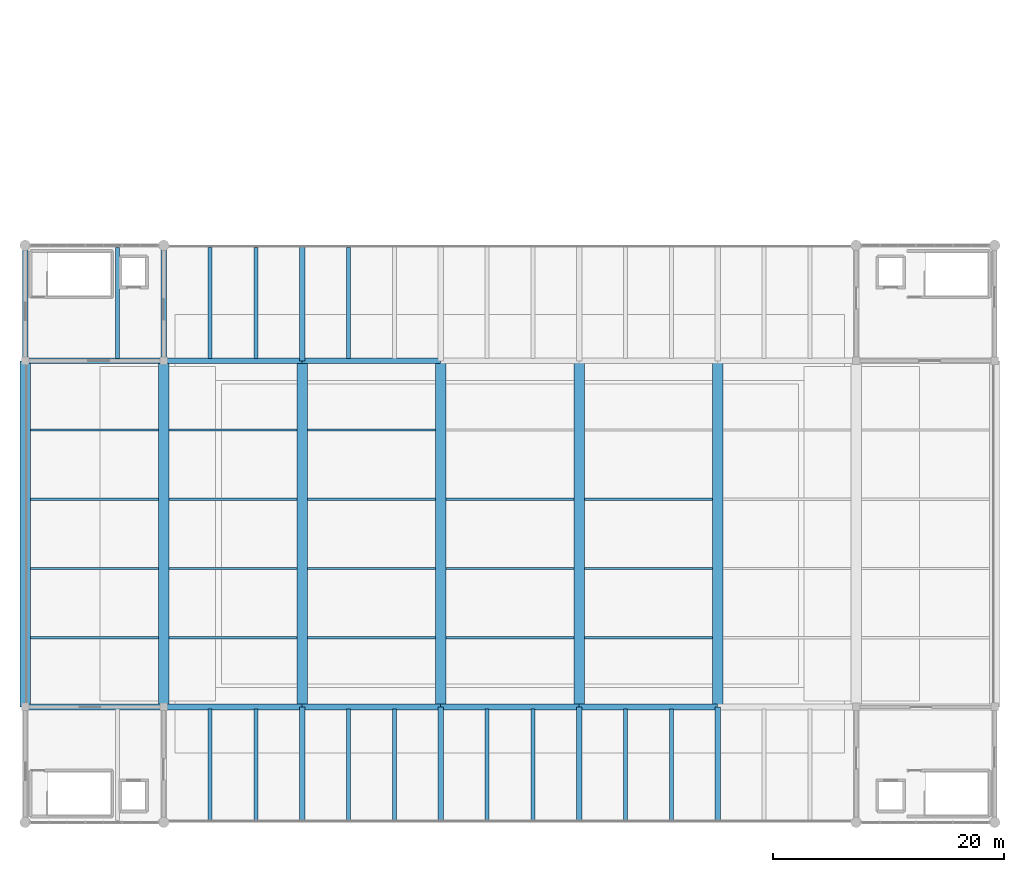
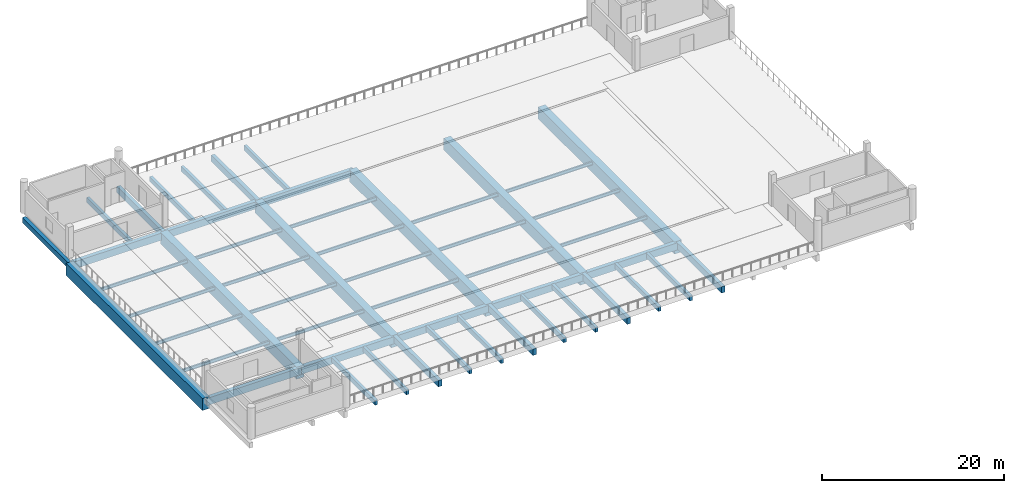
# One storey, part 7 of 111: 51 beams.
"""IFC4 building model written with IfcOpenShell, lengths in metres."""

from ifc_helpers import new_model, si_unit, direction, frame, origin, origin_2d, place, context, subcontext, project, spatial, rectangle, i_section, extrude, material, material_profile, profile_set, type_object, element, save


model = new_model("IFC4")

# Units and contexts
model_context = context("Model", 3, precision=1e-05, world=origin(), true_north=direction((0.0, 1.0)))
body_context = subcontext(model_context, "Body", "Model", "MODEL_VIEW")
ifc_project = project(units=[si_unit("LENGTHUNIT", "METRE"), si_unit("AREAUNIT", "SQUARE_METRE"), si_unit("VOLUMEUNIT", "CUBIC_METRE"), si_unit("PLANEANGLEUNIT", "RADIAN"), si_unit("MASSUNIT", "GRAM", prefix="KILO")], contexts=[model_context])

# Site, building, storey
site_placement = place(None, origin())
site = spatial("IfcSite", under=ifc_project, at=site_placement, CompositionType="ELEMENT")
building_placement = place(site_placement, origin())
building = spatial("IfcBuilding", under=site, at=building_placement, Name="Mersad Railyard Sports Hall", CompositionType="ELEMENT")
storey_placement = place(building_placement, frame((0.0, 0.0, 9.0)))
storey = spatial("IfcBuildingStorey", under=building, at=storey_placement, Name="L02", CompositionType="ELEMENT", Elevation=9.0)

# Beams
ifc_material_1 = material(Name="Concrete C40/50", Category="concrete")
ifc_material_profile_1 = material_profile(ifc_material_1, rectangle(XDim=0.449951171875, YDim=0.85009765625, at=origin_2d()), Name="RC 450x850")
ifc_profile_set_1 = profile_set([ifc_material_profile_1], Name="Concrete C40/50")
beam_type_1 = type_object("IfcBeamType", Name="STR-BM-B02", PredefinedType="BEAM", material=ifc_profile_set_1)
for number, where, z_axis, x_axis, name in (
    (1, (31.0, 3.5, -1.175048828125), (0.0, 1.0, 0.0), (-1.0, 0.0, 0.0), "Beam B02-0433"),
    (2, (43.0, 3.5, -1.175048828125), (0.0, 1.0, 0.0), (-1.0, 0.0, 0.0), "Beam B02-0434"),
    (3, (55.0, 3.5, -1.175048828125), (0.0, 1.0, 0.0), (-1.0, 0.0, 0.0), "Beam B02-0435"),
    (4, (67.0, 3.5, -1.175048828125), (0.0, 1.0, 0.0), (-1.0, 0.0, 0.0), "Beam B02-0436"),
    (5, (19.0, 43.5, -1.175048828125), (0.0, 1.0, 0.0), (-1.0, 0.0, 0.0), "Beam B02-0447"),
    (6, (31.0, 43.5, -1.175048828125), (0.0, 1.0, 0.0), (-1.0, 0.0, 0.0), "Beam B02-0448"),
):
    element("IfcBeam", number, at=place(storey_placement, frame(where, z_axis=z_axis, x_axis=x_axis)), inside=storey, type_object=beam_type_1, Name=name, PredefinedType="BEAM", context=body_context, shape_type="SweptSolid", body=[
        extrude(rectangle(XDim=0.449951171875, YDim=0.85009765625, at=origin_2d()), origin(), (0.0, 0.0, 1.0), 10.0),
    ])
ifc_material_2 = material(Name="Concrete C50/60", Category="concrete")
ifc_material_profile_2 = material_profile(ifc_material_2, rectangle(XDim=0.5, YDim=0.949951171875, at=origin_2d()), Name="RC 500x950")
ifc_profile_set_2 = profile_set([ifc_material_profile_2], Name="Concrete C50/60")
beam_type_2 = type_object("IfcBeamType", Name="STR-BM-B03", PredefinedType="BEAM", material=ifc_profile_set_2)
for number, where, z_axis, x_axis, name in (
    (7, (7.0, 13.5, -1.22509765625), (1.0, 0.0, 0.0), (0.0, 1.0, 0.0), "Beam B03-0424"),
    (8, (19.0, 13.5, -1.22509765625), (1.0, 0.0, 0.0), (0.0, 1.0, 0.0), "Beam B03-0425"),
    (9, (31.0, 13.5, -1.22509765625), (1.0, 0.0, 0.0), (0.0, 1.0, 0.0), "Beam B03-0426"),
    (10, (43.0, 13.5, -1.22509765625), (1.0, 0.0, 0.0), (0.0, 1.0, 0.0), "Beam B03-0427"),
    (11, (55.0, 13.5, -1.22509765625), (1.0, 0.0, 0.0), (0.0, 1.0, 0.0), "Beam B03-0428"),
    (12, (7.0, 43.5, -1.22509765625), (1.0, 0.0, 0.0), (0.0, 1.0, 0.0), "Beam B03-0439"),
    (13, (19.0, 43.5, -1.22509765625), (1.0, 0.0, 0.0), (0.0, 1.0, 0.0), "Beam B03-0440"),
    (14, (31.0, 43.5, -1.22509765625), (1.0, 0.0, 0.0), (0.0, 1.0, 0.0), "Beam B03-0441"),
):
    element("IfcBeam", number, at=place(storey_placement, frame(where, z_axis=z_axis, x_axis=x_axis)), inside=storey, type_object=beam_type_2, Name=name, PredefinedType="BEAM", context=body_context, shape_type="SweptSolid", body=[
        extrude(rectangle(XDim=0.5, YDim=0.949951171875, at=origin_2d()), origin(), (0.0, 0.0, 1.0), 12.0),
    ])
ifc_material_profile_3 = material_profile(ifc_material_1, rectangle(XDim=0.35009765625, YDim=0.64990234375, at=origin_2d()), Name="RC 350x650")
ifc_profile_set_3 = profile_set([ifc_material_profile_3], Name="Concrete C40/50")
beam_type_3 = type_object("IfcBeamType", Name="STR-BM-J01", PredefinedType="JOIST", material=ifc_profile_set_3)
for number, where, z_axis, x_axis, name in (
    (15, (23.0, 3.679931640625, -1.074951171875), (0.0, 1.0, 0.0), (-1.0, 0.0, 0.0), "Beam J01-0455"),
    (16, (27.0, 3.679931640625, -1.074951171875), (0.0, 1.0, 0.0), (-1.0, 0.0, 0.0), "Beam J01-0456"),
    (17, (35.0, 3.679931640625, -1.074951171875), (0.0, 1.0, 0.0), (-1.0, 0.0, 0.0), "Beam J01-0457"),
    (18, (39.0, 3.679931640625, -1.074951171875), (0.0, 1.0, 0.0), (-1.0, 0.0, 0.0), "Beam J01-0458"),
    (19, (47.0, 3.679931640625, -1.074951171875), (0.0, 1.0, 0.0), (-1.0, 0.0, 0.0), "Beam J01-0459"),
    (20, (51.0, 3.679931640625, -1.074951171875), (0.0, 1.0, 0.0), (-1.0, 0.0, 0.0), "Beam J01-0460"),
    (21, (59.0, 3.679931640625, -1.074951171875), (0.0, 1.0, 0.0), (-1.0, 0.0, 0.0), "Beam J01-0461"),
    (22, (63.0, 3.679931640625, -1.074951171875), (0.0, 1.0, 0.0), (-1.0, 0.0, 0.0), "Beam J01-0462"),
    (23, (15.0, 43.679931640625, -1.074951171875), (0.0, 1.0, 0.0), (-1.0, 0.0, 0.0), "Beam J01-0465"),
    (24, (23.0, 43.679931640625, -1.074951171875), (0.0, 1.0, 0.0), (-1.0, 0.0, 0.0), "Beam J01-0466"),
    (25, (27.0, 43.679931640625, -1.074951171875), (0.0, 1.0, 0.0), (-1.0, 0.0, 0.0), "Beam J01-0467"),
    (26, (35.0, 43.679931640625, -1.074951171875), (0.0, 1.0, 0.0), (-1.0, 0.0, 0.0), "Beam J01-0468"),
):
    element("IfcBeam", number, at=place(storey_placement, frame(where, z_axis=z_axis, x_axis=x_axis)), inside=storey, type_object=beam_type_3, Name=name, PredefinedType="JOIST", context=body_context, shape_type="SweptSolid", body=[
        extrude(rectangle(XDim=0.35009765625, YDim=0.64990234375, at=origin_2d()), origin(), (0.0, 0.0, 1.0), 9.64013671875),
    ])
ifc_material_3 = material(Name="Steel S355", Category="steel")
ifc_material_profile_4 = material_profile(ifc_material_3, i_section(OverallWidth=0.18994140625, OverallDepth=0.449951171875, WebThickness=0.009521484375, FlangeThickness=0.0146484375, at=origin_2d()), Name="IPE 450")
ifc_profile_set_4 = profile_set([ifc_material_profile_4], Name="Steel S355")
beam_type_4 = type_object("IfcBeamType", Name="STR-BM-SB01", PredefinedType="BEAM", material=ifc_profile_set_4)
for number, where, z_axis, x_axis, name in (
    (27, (7.449951171875, 19.5, -0.985107421875), (1.0, 0.0, 0.0), (0.0, 1.0, 0.0), "Beam SB01-0476"),
    (28, (7.449951171875, 25.5, -0.985107421875), (1.0, 0.0, 0.0), (0.0, 1.0, 0.0), "Beam SB01-0477"),
    (29, (7.449951171875, 31.5, -0.985107421875), (1.0, 0.0, 0.0), (0.0, 1.0, 0.0), "Beam SB01-0478"),
    (30, (7.449951171875, 37.5, -0.985107421875), (1.0, 0.0, 0.0), (0.0, 1.0, 0.0), "Beam SB01-0479"),
    (31, (19.449951171875, 19.5, -0.985107421875), (1.0, 0.0, 0.0), (0.0, 1.0, 0.0), "Beam SB01-0480"),
    (32, (19.449951171875, 25.5, -0.985107421875), (1.0, 0.0, 0.0), (0.0, 1.0, 0.0), "Beam SB01-0481"),
    (33, (19.449951171875, 31.5, -0.985107421875), (1.0, 0.0, 0.0), (0.0, 1.0, 0.0), "Beam SB01-0482"),
    (34, (19.449951171875, 37.5, -0.985107421875), (1.0, 0.0, 0.0), (0.0, 1.0, 0.0), "Beam SB01-0483"),
    (35, (31.449951171875, 19.5, -0.985107421875), (1.0, 0.0, 0.0), (0.0, 1.0, 0.0), "Beam SB01-0484"),
    (36, (31.449951171875, 25.5, -0.985107421875), (1.0, 0.0, 0.0), (0.0, 1.0, 0.0), "Beam SB01-0485"),
    (37, (31.449951171875, 31.5, -0.985107421875), (1.0, 0.0, 0.0), (0.0, 1.0, 0.0), "Beam SB01-0486"),
    (38, (31.449951171875, 37.5, -0.985107421875), (1.0, 0.0, 0.0), (0.0, 1.0, 0.0), "Beam SB01-0487"),
    (39, (43.449951171875, 19.5, -0.985107421875), (1.0, 0.0, 0.0), (0.0, 1.0, 0.0), "Beam SB01-0488"),
    (40, (43.449951171875, 25.5, -0.985107421875), (1.0, 0.0, 0.0), (0.0, 1.0, 0.0), "Beam SB01-0489"),
    (41, (43.449951171875, 31.5, -0.985107421875), (1.0, 0.0, 0.0), (0.0, 1.0, 0.0), "Beam SB01-0490"),
    (42, (55.449951171875, 19.5, -0.985107421875), (1.0, 0.0, 0.0), (0.0, 1.0, 0.0), "Beam SB01-0492"),
    (43, (55.449951171875, 25.5, -0.985107421875), (1.0, 0.0, 0.0), (0.0, 1.0, 0.0), "Beam SB01-0493"),
    (44, (55.449951171875, 31.5, -0.985107421875), (1.0, 0.0, 0.0), (0.0, 1.0, 0.0), "Beam SB01-0494"),
):
    element("IfcBeam", number, at=place(storey_placement, frame(where, z_axis=z_axis, x_axis=x_axis)), inside=storey, type_object=beam_type_4, Name=name, PredefinedType="BEAM", context=body_context, shape_type="SweptSolid", body=[
        extrude(i_section(OverallWidth=0.18994140625, OverallDepth=0.449951171875, WebThickness=0.009521484375, FlangeThickness=0.0146484375, at=origin_2d()), origin(), (0.0, 0.0, 1.0), 11.10009765625),
    ])
ifc_material_4 = material(Name="Architectural concrete C40/50", Category="concrete")
ifc_material_profile_5 = material_profile(ifc_material_4, rectangle(XDim=0.449951171875, YDim=0.699951171875, at=origin_2d()), Name="RC 450x700")
ifc_profile_set_5 = profile_set([ifc_material_profile_5], Name="Architectural concrete C40/50")
beam_type_5 = type_object("IfcBeamType", Name="STR-BM-SP01", PredefinedType="SPANDREL", material=ifc_profile_set_5)
beam_placement = place(storey_placement, frame((7.0, 43.5, -1.10009765625), z_axis=(0.0, 1.0, 0.0), x_axis=(-1.0, 0.0, 0.0)))
element("IfcBeam", 45, at=beam_placement, inside=storey, type_object=beam_type_5, Name="Beam SP01-0446", PredefinedType="SPANDREL", context=body_context, shape_type="SweptSolid", body=[
    extrude(rectangle(XDim=0.449951171875, YDim=0.699951171875, at=origin_2d()), origin(), (0.0, 0.0, 1.0), 10.0),
])
ifc_material_5 = material(Name="Post-tensioned concrete C50/60", Category="concrete")
ifc_material_profile_6 = material_profile(ifc_material_5, rectangle(XDim=0.89990234375, YDim=1.60009765625, at=origin_2d()), Name="PT 900x1600")
ifc_profile_set_6 = profile_set([ifc_material_profile_6], Name="Post-tensioned concrete C50/60")
beam_type_6 = type_object("IfcBeamType", Name="STR-BM-TG01", PredefinedType="USERDEFINED", material=ifc_profile_set_6)
for number, where, z_axis, x_axis, name in (
    (46, (7.0, 13.5, -1.550048828125), (0.0, 1.0, 0.0), (-1.0, 0.0, 0.0), "Transfer girder TG01-0416"),
    (47, (19.0, 13.5, -1.550048828125), (0.0, 1.0, 0.0), (-1.0, 0.0, 0.0), "Transfer girder TG01-0417"),
    (48, (31.0, 13.5, -1.550048828125), (0.0, 1.0, 0.0), (-1.0, 0.0, 0.0), "Transfer girder TG01-0418"),
    (49, (43.0, 13.5, -1.550048828125), (0.0, 1.0, 0.0), (-1.0, 0.0, 0.0), "Transfer girder TG01-0419"),
    (50, (55.0, 13.5, -1.550048828125), (0.0, 1.0, 0.0), (-1.0, 0.0, 0.0), "Transfer girder TG01-0420"),
    (51, (67.0, 13.5, -1.550048828125), (0.0, 1.0, 0.0), (-1.0, 0.0, 0.0), "Transfer girder TG01-0421"),
):
    element("IfcBeam", number, at=place(storey_placement, frame(where, z_axis=z_axis, x_axis=x_axis)), inside=storey, type_object=beam_type_6, Name=name, ObjectType="GIRDER", PredefinedType="USERDEFINED", context=body_context, shape_type="SweptSolid", body=[
        extrude(rectangle(XDim=0.89990234375, YDim=1.60009765625, at=origin_2d()), origin(), (0.0, 0.0, 1.0), 30.0),
    ])

save(model, "model.ifc")
